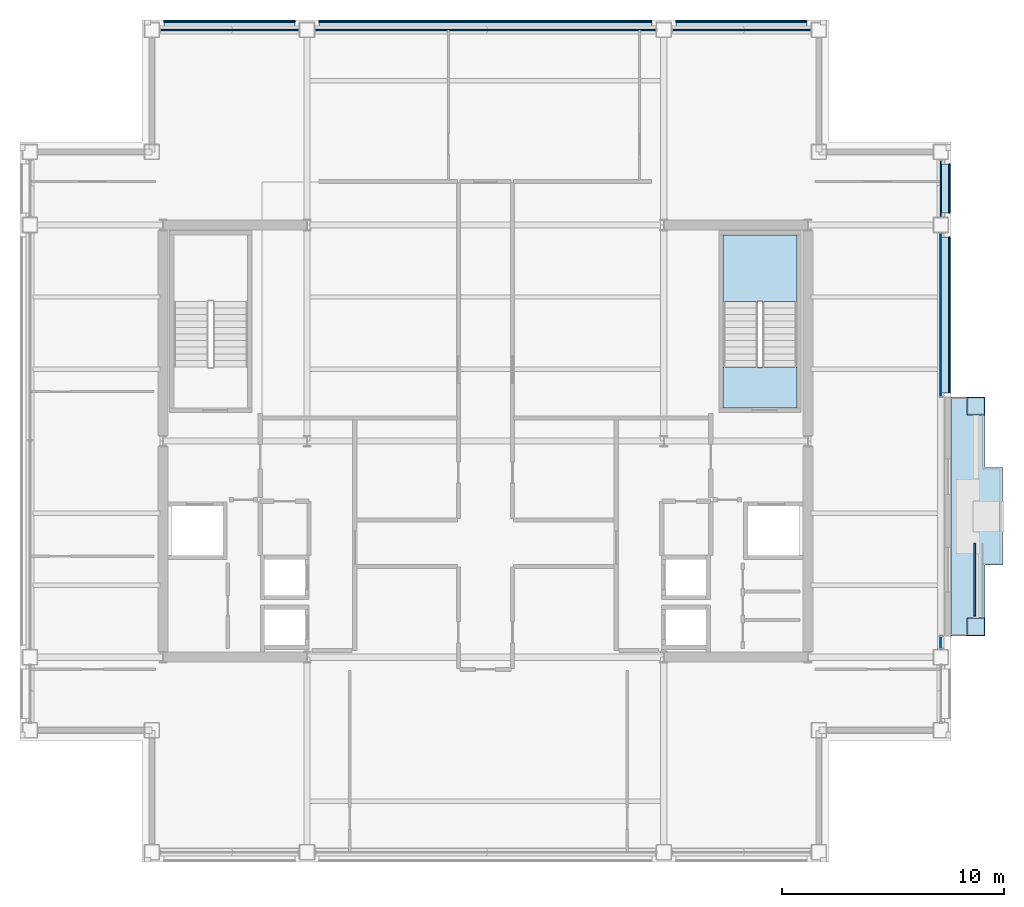
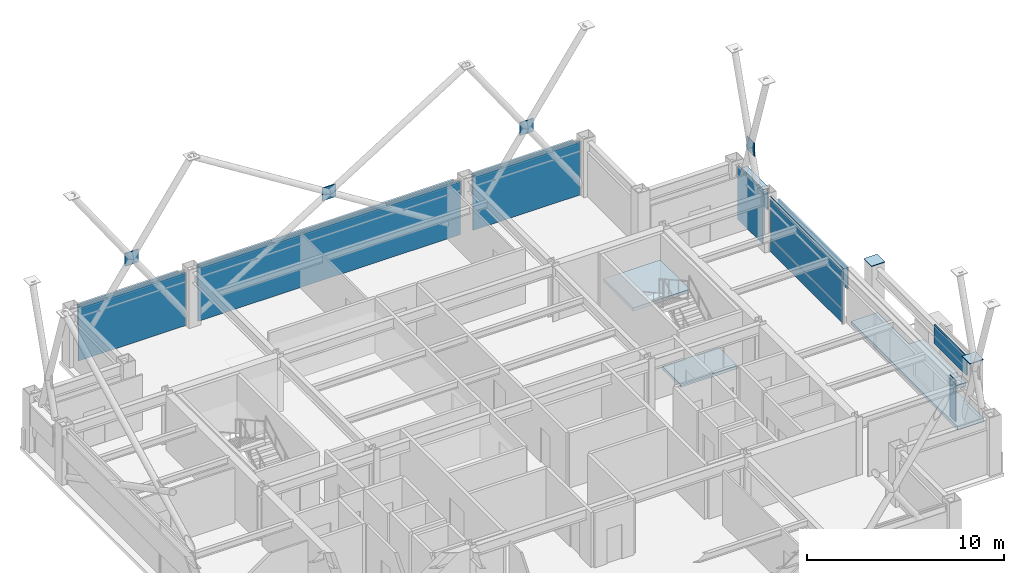
# One storey, part 27 of 33: 24 plates, 3 slabs, 7 elements without a shape of their own.
"""IFC4 building model written with IfcOpenShell, lengths in metres."""

import ifcopenshell
import ifcopenshell.guid

model = None  # the IFC model being written
_history = None  # IfcOwnerHistory: only IFC2X3 demands one
_inside = {}  # id of a spatial element -> (the spatial element, [elements in it])
_under = {}  # id of a project, library or spatial element -> (it, [spatial elements below it])
_declared = {}  # id of a project -> (the project, [libraries it declares])
_typed = {}  # id of a type object -> (the type object, [elements of that type])
_made_of = {}  # id of a material, layer set ... -> (it, [elements and type objects made of it])


def new_model(schema):
    """Start an empty IFC model of exactly this schema.

    Asked for "IFC4X3", IfcOpenShell would pick the latest addendum, in which some entities
    have other attributes; the version numbers below select the first issue.
    IFC2X3 requires an IfcOwnerHistory on every rooted entity: one is made here for all.
    """
    global model, _history
    if schema == "IFC4X3":
        model = ifcopenshell.file(schema_version=(4, 3, 0, 0))
    else:
        model = ifcopenshell.file(schema=schema)
    _inside.clear()
    _under.clear()
    _declared.clear()
    _typed.clear()
    _made_of.clear()
    _history = None
    if model.schema == "IFC2X3":
        org = make("IfcOrganization", Name="unknown")
        user = make(
            "IfcPersonAndOrganization",
            ThePerson=make("IfcPerson", FamilyName="unknown"),
            TheOrganization=org,
        )
        app = make(
            "IfcApplication",
            ApplicationDeveloper=org,
            Version="unknown",
            ApplicationFullName="unknown",
            ApplicationIdentifier="unknown",
        )
        _history = make(
            "IfcOwnerHistory",
            OwningUser=user,
            OwningApplication=app,
            ChangeAction="ADDED",
            CreationDate=0,
        )
    return model


def make(cls, **values):
    """One entity of the class cls with the attributes given. An attribute that is None is left unset."""
    return model.create_entity(
        cls, **{name: value for name, value in values.items() if value is not None}
    )


def rooted(cls, **values):
    """An entity with a GlobalId (a new one), such as an element, a storey or a relation."""
    return make(cls, GlobalId=ifcopenshell.guid.new(), OwnerHistory=_history, **values)


def si_unit(unit_type, name, prefix=None):
    """IfcSIUnit, for example si_unit("LENGTHUNIT", "METRE", prefix="MILLI")."""
    return make("IfcSIUnit", UnitType=unit_type, Prefix=prefix, Name=name)


def assignment(units):
    """IfcUnitAssignment: the units of a project."""
    return None if units is None else make("IfcUnitAssignment", Units=units)


def point(xyz):
    """IfcCartesianPoint."""
    return None if xyz is None else make("IfcCartesianPoint", Coordinates=xyz)


def direction(xyz):
    """IfcDirection."""
    return None if xyz is None else make("IfcDirection", DirectionRatios=xyz)


def frame(location, z_axis=None, x_axis=None):
    """IfcAxis2Placement3D, a coordinate frame: its origin and axes. An axis left out is left unset."""
    return make(
        "IfcAxis2Placement3D",
        Location=point(location),
        Axis=direction(z_axis),
        RefDirection=direction(x_axis),
    )


def frame_2d(location, x_axis=None):
    """IfcAxis2Placement2D, a coordinate frame in the plane: its origin and x axis."""
    return make(
        "IfcAxis2Placement2D", Location=point(location), RefDirection=direction(x_axis)
    )


def origin():
    """The frame at (0, 0, 0) with its axes left unset."""
    return frame((0.0, 0.0, 0.0))


def origin_2d():
    """The frame at (0, 0) in the plane with its x axis left unset."""
    return frame_2d((0.0, 0.0))


def place(relative_to, where):
    """IfcLocalPlacement: puts the frame where relative to a parent placement (None: the world)."""
    return make(
        "IfcLocalPlacement", PlacementRelTo=relative_to, RelativePlacement=where
    )


def context(
    kind, dimensions, precision=None, world=None, true_north=None, identifier=None
):
    """IfcGeometricRepresentationContext, for example the 3D "Model" context."""
    return make(
        "IfcGeometricRepresentationContext",
        ContextIdentifier=identifier,
        ContextType=kind,
        CoordinateSpaceDimension=dimensions,
        Precision=precision,
        WorldCoordinateSystem=world,
        TrueNorth=true_north,
    )


def subcontext(parent, identifier, kind, view, scale=None):
    """IfcGeometricRepresentationSubContext, for example "Body" below "Model"."""
    return make(
        "IfcGeometricRepresentationSubContext",
        ContextIdentifier=identifier,
        ContextType=kind,
        ParentContext=parent,
        TargetScale=scale,
        TargetView=view,
    )


def project(units=None, contexts=None):
    """IfcProject with its units and contexts."""
    return rooted(
        "IfcProject",
        Name="project",
        RepresentationContexts=contexts,
        UnitsInContext=assignment(units),
    )


def spatial(cls, under=None, at=None, **own):
    """A site, building, storey or space (cls), placed at a placement, below another one or the project."""
    s = rooted(cls, ObjectPlacement=at, **own)
    if under is not None:
        _under.setdefault(under.id(), (under, []))[1].append(s)
    return s


def polyline(points):
    """IfcPolyline through the points."""
    return make("IfcPolyline", Points=[point(p) for p in points])


def profile(cls, at=None, kind="AREA", **sizes):
    """A parametric profile (cls). Its sizes go by their IFC names, for example OverallWidth=200.0."""
    return make(cls, ProfileType=kind, Position=at, **sizes)


def rectangle(**sizes):
    """IfcRectangleProfileDef."""
    return profile("IfcRectangleProfileDef", **sizes)


def outline(outer, holes=None, kind="AREA"):
    """IfcArbitraryClosedProfileDef: a profile drawn as a closed curve; with holes, ...WithVoids."""
    if holes is None:
        return make("IfcArbitraryClosedProfileDef", ProfileType=kind, OuterCurve=outer)
    return make(
        "IfcArbitraryProfileDefWithVoids",
        ProfileType=kind,
        OuterCurve=outer,
        InnerCurves=holes,
    )


def extrude(swept, where, along, depth):
    """IfcExtrudedAreaSolid: the profile swept, set in the frame where, extruded along a direction by depth."""
    return make(
        "IfcExtrudedAreaSolid",
        SweptArea=swept,
        Position=where,
        ExtrudedDirection=direction(along),
        Depth=depth,
    )


def shape(context_of_items, identifier, shape_type, items):
    """IfcShapeRepresentation: the items that make up one representation, for example the "Body"."""
    return make(
        "IfcShapeRepresentation",
        ContextOfItems=context_of_items,
        RepresentationIdentifier=identifier,
        RepresentationType=shape_type,
        Items=items,
    )


def material(Name=None, Category=None):
    """IfcMaterial."""
    return make("IfcMaterial", Name=Name, Category=Category)


def layer(
    of_material, thickness, ventilated=None, Name=None, Category=None, Priority=None
):
    """IfcMaterialLayer: one layer of a wall or slab, of a material (None: an air gap)."""
    return make(
        "IfcMaterialLayer",
        Material=of_material,
        LayerThickness=thickness,
        IsVentilated=ventilated,
        Name=Name,
        Category=Category,
        Priority=Priority,
    )


def layer_set(layers, Name=None):
    """IfcMaterialLayerSet."""
    return make("IfcMaterialLayerSet", MaterialLayers=layers, LayerSetName=Name)


def made_of(thing, what):
    """Note that an element or type object is made of a material, layer set ...; save() writes the relation."""
    if what is not None:
        _made_of.setdefault(what.id(), (what, []))[1].append(thing)
    return thing


def type_object(cls, material=None, **own):
    """A type object (cls), such as IfcWallType, which elements share."""
    return made_of(rooted(cls, **own), material)


def element(
    cls,
    number,
    at=None,
    inside=None,
    cuts=None,
    type_object=None,
    material=None,
    context=None,
    identifier="Body",
    shape_type=None,
    held_by="IfcProductDefinitionShape",
    body=None,
    shapes=None,
    **own,
):
    """One element of the class cls, such as IfcWall. Its Tag is "e" and its number.

    at: its placement. inside: the storey or other place that contains it. cuts: it is an
    opening in that element (IfcRelVoidsElement). A single representation is given by context,
    identifier, shape_type and body (its items); several are given by shapes. held_by: the class
    of the entity that holds the representations. save() writes the other relations.
    """
    e = rooted(cls, Tag="e%d" % number, ObjectPlacement=at, **own)
    if body is not None:
        shapes = [shape(context, identifier, shape_type, body)]
    if shapes is not None:
        e.Representation = make(held_by, Representations=shapes)
    if inside is not None:
        _inside.setdefault(inside.id(), (inside, []))[1].append(e)
    if cuts is not None:
        rooted(
            "IfcRelVoidsElement", RelatingBuildingElement=cuts, RelatedOpeningElement=e
        )
    if type_object is not None:
        _typed.setdefault(type_object.id(), (type_object, []))[1].append(e)
    return made_of(e, material)


def aggregate(whole, parts):
    """IfcRelAggregates: a whole, such as a stair, and the parts it consists of."""
    return rooted("IfcRelAggregates", RelatingObject=whole, RelatedObjects=parts)


def save(model, path):
    """Write the relations noted so far, then the file.

    IfcRelAggregates (storeys below a building ...), IfcRelContainedInSpatialStructure (elements
    in a storey), IfcRelDefinesByType, IfcRelAssociatesMaterial and IfcRelDeclares: one each for
    every whole, place, type object, material and project.
    """
    for whole, parts in _under.values():
        aggregate(whole, parts)
    for where, things in _inside.values():
        rooted(
            "IfcRelContainedInSpatialStructure",
            RelatedElements=things,
            RelatingStructure=where,
        )
    for kind, things in _typed.values():
        rooted("IfcRelDefinesByType", RelatedObjects=things, RelatingType=kind)
    for what, things in _made_of.values():
        rooted("IfcRelAssociatesMaterial", RelatedObjects=things, RelatingMaterial=what)
    for by, libraries in _declared.values():
        rooted("IfcRelDeclares", RelatingContext=by, RelatedDefinitions=libraries)
    model.write(path)


model = new_model("IFC4")

# Units and contexts
model_context = context("Model", 3, precision=1e-05, world=origin(), true_north=direction((0.0, 1.0)))
body_context = subcontext(model_context, "Body", "Model", "MODEL_VIEW")
ifc_project = project(units=[si_unit("LENGTHUNIT", "METRE"), si_unit("AREAUNIT", "SQUARE_METRE"), si_unit("VOLUMEUNIT", "CUBIC_METRE"), si_unit("PLANEANGLEUNIT", "RADIAN"), si_unit("MASSUNIT", "GRAM", prefix="KILO")], contexts=[model_context])

# Site, building, storey
site_placement = place(None, origin())
site = spatial("IfcSite", under=ifc_project, at=site_placement, CompositionType="ELEMENT")
building_placement = place(site_placement, origin())
building = spatial("IfcBuilding", under=site, at=building_placement, Name="Brelmoor Portico Tower", CompositionType="ELEMENT")
storey_placement = place(building_placement, frame((0.0, 0.0, 183.89990234375)))
storey = spatial("IfcBuildingStorey", under=building, at=storey_placement, Name="L48", CompositionType="ELEMENT", Elevation=183.89990234375)

# Plates
ifc_material_1 = material(Name="Steel Q355B", Category="steel")
ifc_layer_1 = layer(ifc_material_1, 0.044921875)
ifc_layer_set_1 = layer_set([ifc_layer_1], Name="Steel Q355B")
plate_type_1 = type_object("IfcPlateType", Name="PT-CAP-650", PredefinedType="SHEET", material=ifc_layer_set_1)
for number, where, z_axis, x_axis, name in (
    (1, (22.1298828125, -8.3798828125, 3.60009765625), (0.0, 0.0, 1.0), (0.0, 1.0, 0.0), "L48 Proud Picture-Frame Pier PFJ-E1 Welded Head Cap Plate"),
    (2, (22.1298828125, 1.580078125, 3.60009765625), (0.0, 0.0, 1.0), (0.0, 1.0, 0.0), "L48 Proud Picture-Frame Pier PFJ-E2 Welded Head Cap Plate"),
):
    element("IfcPlate", number, at=place(storey_placement, frame(where, z_axis=z_axis, x_axis=x_axis)), inside=storey, type_object=plate_type_1, Name=name, PredefinedType="SHEET", context=body_context, shape_type="SweptSolid", body=[
        extrude(rectangle(XDim=0.7900390625, YDim=0.7900390625, at=origin_2d()), origin(), (0.0, 0.0, 1.0), 0.0400390625),
    ])

# Curtain wall, plate
ifc_material_2 = material(Name="Anodised Aluminium Alloy 6063-T6", Category="aluminium")
ifc_layer_2 = layer(ifc_material_2, 0.179931640625)
ifc_layer_set_2 = layer_set([ifc_layer_2], Name="Anodised Aluminium Alloy 6063-T6")
curtain_wall_type_1 = type_object("IfcCurtainWallType", Name="CW-TOWER-Z3", PredefinedType="NOTDEFINED", material=ifc_layer_set_2)
curtain_wall_1_placement = place(storey_placement, origin())
curtain_wall_1 = element("IfcCurtainWall", 3, at=curtain_wall_1_placement, inside=storey, type_object=curtain_wall_type_1, Name="L48 Curtain Wall CW-L48-4L-2", PredefinedType="NOTDEFINED")
ifc_material_3 = material(Name="Double-Silver Low-E Insulated Glazing", Category="glass")
ifc_layer_3 = layer(ifc_material_3, 0.035888671875)
ifc_layer_set_3 = layer_set([ifc_layer_3], Name="Double-Silver Low-E Insulated Glazing")
plate_type_2 = type_object("IfcPlateType", Name="PT-CW-GLASS", PredefinedType="CURTAIN_PANEL", material=ifc_layer_set_3)
plate_1_placement = place(storey_placement, frame((20.550048828125, -9.094970703125, 0.85009765625), z_axis=(0.0, 0.0, 1.0), x_axis=(0.0, 1.0, 0.0)))
plate_1 = element("IfcPlate", 4, at=plate_1_placement, type_object=plate_type_2, Name="CW-L48-4L-2 Vision Glass Panel 00", PredefinedType="CURTAIN_PANEL", context=body_context, shape_type="SweptSolid", body=[
    extrude(rectangle(XDim=0.56005859375, YDim=0.035888671875, at=origin_2d()), origin(), (0.0, 0.0, 1.0), 2.550048828125),
])
aggregate(curtain_wall_1, [plate_1])

curtain_wall_2_placement = place(storey_placement, origin())
curtain_wall_2 = element("IfcCurtainWall", 5, at=curtain_wall_2_placement, inside=storey, type_object=curtain_wall_type_1, Name="L48 Curtain Wall CW-L48-4R-1", PredefinedType="NOTDEFINED")
plate_2_placement = place(storey_placement, frame((20.550048828125, 5.695068359375, 0.85009765625), z_axis=(0.0, 0.0, 1.0), x_axis=(0.0, 1.0, 0.0)))
plate_2 = element("IfcPlate", 6, at=plate_2_placement, type_object=plate_type_2, Name="CW-L48-4R-1 Vision Glass Panel 00", PredefinedType="CURTAIN_PANEL", context=body_context, shape_type="SweptSolid", body=[
    extrude(rectangle(XDim=7.360107421875, YDim=0.035888671875, at=origin_2d()), origin(), (0.0, 0.0, 1.0), 2.550048828125),
])

ifc_layer_4 = layer(ifc_material_2, 0.179931640625)
ifc_layer_set_4 = layer_set([ifc_layer_4], Name="Anodised Aluminium Alloy 6063-T6")
curtain_wall_type_2 = type_object("IfcCurtainWallType", Name="CW-TOWER-Z3-XB", PredefinedType="NOTDEFINED", material=ifc_layer_set_4)
curtain_wall_3_placement = place(storey_placement, origin())
curtain_wall_3 = element("IfcCurtainWall", 7, at=curtain_wall_3_placement, inside=storey, type_object=curtain_wall_type_2, Name="L48 Curtain Wall CW-L48-02-1", PredefinedType="NOTDEFINED")
ifc_material_4 = material(Name="Pale Champagne Anodised Aluminium Panel", Category="aluminium")
ifc_layer_5 = layer(ifc_material_4, 0.050048828125)
ifc_layer_set_5 = layer_set([ifc_layer_5], Name="Pale Champagne Anodised Aluminium Panel")
plate_type_3 = type_object("IfcPlateType", Name="PT-CW-SPANDREL", PredefinedType="SHEET", material=ifc_layer_set_5)
plate_3_placement = place(storey_placement, frame((-11.550048828125, 18.550048828125, 0.0), z_axis=(0.0, 0.0, 1.0), x_axis=(1.0, 0.0, 0.0)))
plate_3 = element("IfcPlate", 8, at=plate_3_placement, type_object=plate_type_3, Name="CW-L48-02-1 Spandrel Panel 00", PredefinedType="SHEET", context=body_context, shape_type="SweptSolid", body=[
    extrude(rectangle(XDim=6.25, YDim=0.050048828125, at=origin_2d()), origin(), (0.0, 0.0, 1.0), 3.33740234375),
])
aggregate(curtain_wall_3, [plate_3])

curtain_wall_4_placement = place(storey_placement, origin())
curtain_wall_4 = element("IfcCurtainWall", 9, at=curtain_wall_4_placement, inside=storey, type_object=curtain_wall_type_2, Name="L48 Curtain Wall CW-L48-02-2", PredefinedType="NOTDEFINED")
plate_4_placement = place(storey_placement, frame((0.0, 18.550048828125, 0.0), z_axis=(0.0, 0.0, 1.0), x_axis=(1.0, 0.0, 0.0)))
plate_4 = element("IfcPlate", 10, at=plate_4_placement, type_object=plate_type_3, Name="CW-L48-02-2 Spandrel Panel 00", PredefinedType="SHEET", context=body_context, shape_type="SweptSolid", body=[
    extrude(rectangle(XDim=15.35009765625, YDim=0.050048828125, at=origin_2d()), origin(), (0.0, 0.0, 1.0), 3.33740234375),
])
aggregate(curtain_wall_4, [plate_4])

curtain_wall_5_placement = place(storey_placement, origin())
curtain_wall_5 = element("IfcCurtainWall", 11, at=curtain_wall_5_placement, inside=storey, type_object=curtain_wall_type_2, Name="L48 Curtain Wall CW-L48-02-3", PredefinedType="NOTDEFINED")
plate_5_placement = place(storey_placement, frame((11.550048828125, 18.550048828125, 0.0), z_axis=(0.0, 0.0, 1.0), x_axis=(1.0, 0.0, 0.0)))
plate_5 = element("IfcPlate", 12, at=plate_5_placement, type_object=plate_type_3, Name="CW-L48-02-3 Spandrel Panel 00", PredefinedType="SHEET", context=body_context, shape_type="SweptSolid", body=[
    extrude(rectangle(XDim=6.25, YDim=0.050048828125, at=origin_2d()), origin(), (0.0, 0.0, 1.0), 3.33740234375),
])
aggregate(curtain_wall_5, [plate_5])

# Plate
plate_6_placement = place(storey_placement, frame((20.550048828125, 5.695068359375, 0.0), z_axis=(0.0, 0.0, 1.0), x_axis=(0.0, 1.0, 0.0)))
plate_6 = element("IfcPlate", 13, at=plate_6_placement, type_object=plate_type_3, Name="CW-L48-4R-1 Spandrel Panel 00", PredefinedType="SHEET", context=body_context, shape_type="SweptSolid", body=[
    extrude(rectangle(XDim=7.360107421875, YDim=0.050048828125, at=origin_2d()), origin(), (0.0, 0.0, 1.0), 0.85009765625),
])

aggregate(curtain_wall_2, [plate_6, plate_2])

# Curtain wall, plate
curtain_wall_6_placement = place(storey_placement, origin())
curtain_wall_6 = element("IfcCurtainWall", 14, at=curtain_wall_6_placement, inside=storey, type_object=curtain_wall_type_2, Name="L48 Curtain Wall CW-L48-4R-2", PredefinedType="NOTDEFINED")
plate_7_placement = place(storey_placement, frame((20.550048828125, 11.39990234375, 0.0), z_axis=(0.0, 0.0, 1.0), x_axis=(0.0, 1.0, 0.0)))
plate_7 = element("IfcPlate", 15, at=plate_7_placement, type_object=plate_type_3, Name="CW-L48-4R-2 Spandrel Panel 00", PredefinedType="SHEET", context=body_context, shape_type="SweptSolid", body=[
    extrude(rectangle(XDim=2.550048828125, YDim=0.050048828125, at=origin_2d()), origin(), (0.0, 0.0, 1.0), 3.33740234375),
])
aggregate(curtain_wall_6, [plate_7])

# Plates
ifc_layer_6 = layer(ifc_material_1, 0.050048828125)
ifc_layer_set_6 = layer_set([ifc_layer_6], Name="Steel Q355B")
plate_type_4 = type_object("IfcPlateType", Name="PT-GUSSET-800", PredefinedType="USERDEFINED", material=ifc_layer_set_6)
for number, where, z_axis, x_axis, name in (
    (16, (-11.550048828125, 18.550048828125, 4.89990234375), (0.0, 0.0, 1.0), (1.0, 0.0, 0.0), "L48 Perimeter Mega-Brace Gusset 108"),
    (17, (0.0, 18.550048828125, 4.89990234375), (0.0, 0.0, 1.0), (1.0, 0.0, 0.0), "L48 Perimeter Mega-Brace Gusset 109"),
    (18, (11.550048828125, 18.550048828125, 4.89990234375), (0.0, 0.0, 1.0), (1.0, 0.0, 0.0), "L48 Perimeter Mega-Brace Gusset 110"),
):
    element("IfcPlate", number, at=place(storey_placement, frame(where, z_axis=z_axis, x_axis=x_axis)), inside=storey, type_object=plate_type_4, Name=name, ObjectType="GUSSET PLATE", PredefinedType="USERDEFINED", context=body_context, shape_type="SweptSolid", body=[
        extrude(rectangle(XDim=0.800048828125, YDim=0.050048828125, at=origin_2d()), origin(), (0.0, 0.0, 1.0), 0.800048828125),
    ])
plate_8_placement = place(storey_placement, frame((20.550048828125, 11.39990234375, 4.89990234375), z_axis=(0.0, 0.0, 1.0), x_axis=(1.0, 0.0, 0.0)))
element("IfcPlate", 19, at=plate_8_placement, inside=storey, type_object=plate_type_4, Name="L48 Perimeter Mega-Brace Gusset 115", ObjectType="GUSSET PLATE", PredefinedType="USERDEFINED", context=body_context, shape_type="SweptSolid", body=[
    extrude(rectangle(XDim=0.050048828125, YDim=0.800048828125, at=origin_2d()), origin(), (0.0, 0.0, 1.0), 0.800048828125),
])
ifc_material_5 = material(Name="Powder-Coated Aluminium Shuttered Jalousie Louvre", Category="aluminium")
ifc_layer_7 = layer(ifc_material_5, 0.06005859375)
ifc_layer_set_7 = layer_set([ifc_layer_7], Name="Powder-Coated Aluminium Shuttered Jalousie Louvre")
plate_type_5 = type_object("IfcPlateType", Name="PT-JALOUSIE-SHUTTER", PredefinedType="SHEET", material=ifc_layer_set_7)
plate_9_placement = place(storey_placement, frame((-11.550048828125, 18.929931640625, 1.8740234375), z_axis=(0.0, 0.0, 1.0), x_axis=(1.0, 0.0, 0.0)))
element("IfcPlate", 20, at=plate_9_placement, inside=storey, type_object=plate_type_5, Name="CW-L48-02-1 Perforated Jalousie Solar Screen", PredefinedType="SHEET", context=body_context, shape_type="SweptSolid", body=[
    extrude(rectangle(XDim=5.919921875, YDim=0.06494140625, at=origin_2d()), origin(), (0.0, 0.0, 1.0), 1.325927734375),
])
plate_10_placement = place(storey_placement, frame((0.0, 18.929931640625, 1.8740234375), z_axis=(0.0, 0.0, 1.0), x_axis=(1.0, 0.0, 0.0)))
element("IfcPlate", 21, at=plate_10_placement, inside=storey, type_object=plate_type_5, Name="CW-L48-02-2 Perforated Jalousie Solar Screen", PredefinedType="SHEET", context=body_context, shape_type="SweptSolid", body=[
    extrude(rectangle(XDim=15.02001953125, YDim=0.06494140625, at=origin_2d()), origin(), (0.0, 0.0, 1.0), 1.325927734375),
])
plate_11_placement = place(storey_placement, frame((11.550048828125, 18.929931640625, 1.8740234375), z_axis=(0.0, 0.0, 1.0), x_axis=(1.0, 0.0, 0.0)))
element("IfcPlate", 22, at=plate_11_placement, inside=storey, type_object=plate_type_5, Name="CW-L48-02-3 Perforated Jalousie Solar Screen", PredefinedType="SHEET", context=body_context, shape_type="SweptSolid", body=[
    extrude(rectangle(XDim=5.919921875, YDim=0.06494140625, at=origin_2d()), origin(), (0.0, 0.0, 1.0), 1.325927734375),
])
plate_12_placement = place(storey_placement, frame((20.929931640625, 5.695068359375, 1.8740234375), z_axis=(0.0, 0.0, 1.0), x_axis=(0.0, 1.0, 0.0)))
element("IfcPlate", 23, at=plate_12_placement, inside=storey, type_object=plate_type_5, Name="CW-L48-4R-1 Perforated Jalousie Solar Screen", PredefinedType="SHEET", context=body_context, shape_type="SweptSolid", body=[
    extrude(rectangle(XDim=7.030029296875, YDim=0.06494140625, at=origin_2d()), origin(), (0.0, 0.0, 1.0), 1.325927734375),
])
plate_13_placement = place(storey_placement, frame((20.929931640625, 11.39990234375, 1.8740234375), z_axis=(0.0, 0.0, 1.0), x_axis=(0.0, 1.0, 0.0)))
element("IfcPlate", 24, at=plate_13_placement, inside=storey, type_object=plate_type_5, Name="CW-L48-4R-2 Perforated Jalousie Solar Screen", PredefinedType="SHEET", context=body_context, shape_type="SweptSolid", body=[
    extrude(rectangle(XDim=2.219970703125, YDim=0.06494140625, at=origin_2d()), origin(), (0.0, 0.0, 1.0), 1.325927734375),
])
plate_14_placement = place(storey_placement, frame((22.080078125, -6.25, 2.275146484375), z_axis=(0.0, 0.0, 1.0), x_axis=(0.0, 1.0, 0.0)))
element("IfcPlate", 25, at=plate_14_placement, inside=storey, type_object=plate_type_5, Name="L48 Shuttered Veranda Screen E", PredefinedType="SHEET", context=body_context, shape_type="SweptSolid", body=[
    extrude(rectangle(XDim=3.300048828125, YDim=0.080078125, at=origin_2d()), origin(), (0.0, 0.0, 1.0), 1.14990234375),
])
ifc_material_6 = material(Name="Pale Champagne Perforated Aluminium Solar Screen", Category="aluminium")
ifc_layer_8 = layer(ifc_material_6, 0.054931640625)
ifc_layer_set_8 = layer_set([ifc_layer_8], Name="Pale Champagne Perforated Aluminium Solar Screen")
plate_type_6 = type_object("IfcPlateType", Name="PT-SOLAR-LOUVRE", PredefinedType="SHEET", material=ifc_layer_set_8)
plate_15_placement = place(storey_placement, frame((-11.550048828125, 18.760009765625, 3.09033203125), z_axis=(0.0, 0.0, 1.0), x_axis=(1.0, 0.0, 0.0)))
element("IfcPlate", 26, at=plate_15_placement, inside=storey, type_object=plate_type_6, Name="CW-L48-02-1 Caribbean Brise-Soleil Solar Screen", PredefinedType="SHEET", context=body_context, shape_type="SweptSolid", body=[
    extrude(rectangle(XDim=5.919921875, YDim=0.4599609375, at=origin_2d()), origin(), (0.0, 0.0, 1.0), 0.139892578125),
])
plate_16_placement = place(storey_placement, frame((0.0, 18.760009765625, 3.09033203125), z_axis=(0.0, 0.0, 1.0), x_axis=(1.0, 0.0, 0.0)))
element("IfcPlate", 27, at=plate_16_placement, inside=storey, type_object=plate_type_6, Name="CW-L48-02-2 Caribbean Brise-Soleil Solar Screen", PredefinedType="SHEET", context=body_context, shape_type="SweptSolid", body=[
    extrude(rectangle(XDim=15.02001953125, YDim=0.4599609375, at=origin_2d()), origin(), (0.0, 0.0, 1.0), 0.139892578125),
])
plate_17_placement = place(storey_placement, frame((11.550048828125, 18.760009765625, 3.09033203125), z_axis=(0.0, 0.0, 1.0), x_axis=(1.0, 0.0, 0.0)))
element("IfcPlate", 28, at=plate_17_placement, inside=storey, type_object=plate_type_6, Name="CW-L48-02-3 Caribbean Brise-Soleil Solar Screen", PredefinedType="SHEET", context=body_context, shape_type="SweptSolid", body=[
    extrude(rectangle(XDim=5.919921875, YDim=0.4599609375, at=origin_2d()), origin(), (0.0, 0.0, 1.0), 0.139892578125),
])
plate_18_placement = place(storey_placement, frame((20.760009765625, 5.695068359375, 3.09033203125), z_axis=(0.0, 0.0, 1.0), x_axis=(0.0, 1.0, 0.0)))
element("IfcPlate", 29, at=plate_18_placement, inside=storey, type_object=plate_type_6, Name="CW-L48-4R-1 Caribbean Brise-Soleil Solar Screen", PredefinedType="SHEET", context=body_context, shape_type="SweptSolid", body=[
    extrude(rectangle(XDim=7.030029296875, YDim=0.4599609375, at=origin_2d()), origin(), (0.0, 0.0, 1.0), 0.139892578125),
])
plate_19_placement = place(storey_placement, frame((20.760009765625, 11.39990234375, 3.09033203125), z_axis=(0.0, 0.0, 1.0), x_axis=(0.0, 1.0, 0.0)))
element("IfcPlate", 30, at=plate_19_placement, inside=storey, type_object=plate_type_6, Name="CW-L48-4R-2 Caribbean Brise-Soleil Solar Screen", PredefinedType="SHEET", context=body_context, shape_type="SweptSolid", body=[
    extrude(rectangle(XDim=2.219970703125, YDim=0.4599609375, at=origin_2d()), origin(), (0.0, 0.0, 1.0), 0.139892578125),
])

# Slab
ifc_material_7 = material(Name="Concrete C40", Category="concrete")
ifc_layer_9 = layer(ifc_material_7, 0.199951171875)
ifc_layer_set_9 = layer_set([ifc_layer_9], Name="Concrete C40")
slab_type_1 = type_object("IfcSlabType", Name="SL-BALCONY-200", PredefinedType="FLOOR", material=ifc_layer_set_9)
slab_1_placement = place(storey_placement, frame((0.0, 0.0, -0.199951171875)))
element("IfcSlab", 31, at=slab_1_placement, inside=storey, type_object=slab_type_1, Name="L48 Loggia Tree Balcony Slab E", PredefinedType="FLOOR", context=body_context, shape_type="SweptSolid", body=[
    extrude(outline(polyline([(21.0, -8.800048828125), (22.550048828125, -8.800048828125), (22.550048828125, -5.60009765625), (23.35009765625, -5.60009765625), (23.35009765625, -1.199951171875), (22.550048828125, -1.199951171875), (22.550048828125, 2.0), (21.0, 2.0), (21.0, -8.800048828125)])), origin(), (0.0, 0.0, 1.0), 0.199951171875),
])

# Stair, slab
stair_type = type_object("IfcStairType", Name="ST-CORE-E", PredefinedType="HALF_TURN_STAIR", material=ifc_material_7)
stair_placement = place(storey_placement, origin())
stair = element("IfcStair", 32, at=stair_placement, inside=storey, type_object=stair_type, Name="L48 Protected Core Exit Stair ST-E", PredefinedType="HALF_TURN_STAIR")
ifc_layer_10 = layer(ifc_material_7, 0.179931640625)
ifc_layer_set_10 = layer_set([ifc_layer_10], Name="Concrete C40")
slab_type_2 = type_object("IfcSlabType", Name="SL-LANDING-180", PredefinedType="LANDING", material=ifc_layer_set_10)
slab_2_placement = place(storey_placement, frame((0.0, 0.0, 1.60009765625)))
slab_2 = element("IfcSlab", 33, at=slab_2_placement, type_object=slab_type_2, Name="ST-E landing 1", PredefinedType="LANDING", context=body_context, shape_type="SweptSolid", body=[
    extrude(outline(polyline([(14.050048828125, 6.300048828125), (14.050048828125, 9.300048828125), (10.72998046875, 9.300048828125), (10.72998046875, 6.300048828125), (14.050048828125, 6.300048828125)])), origin(), (0.0, 0.0, 1.0), 0.199951171875),
])
aggregate(stair, [slab_2])

# Slab
ifc_layer_11 = layer(ifc_material_7, 0.199951171875)
ifc_layer_set_11 = layer_set([ifc_layer_11], Name="Concrete C40")
slab_type_3 = type_object("IfcSlabType", Name="SL-STAIR-FL200", PredefinedType="LANDING", material=ifc_layer_set_11)
slab_3_placement = place(storey_placement, frame((0.0, 0.0, -0.199951171875)))
element("IfcSlab", 34, at=slab_3_placement, inside=storey, type_object=slab_type_3, Name="L48 ST-E Structural Floor Landing Slab", PredefinedType="LANDING", context=body_context, shape_type="SweptSolid", body=[
    extrude(outline(polyline([(14.050048828125, 1.5), (14.050048828125, 3.35009765625), (10.72998046875, 3.35009765625), (10.72998046875, 1.5), (14.050048828125, 1.5)])), origin(), (0.0, 0.0, 1.0), 0.199951171875),
])

save(model, "model.ifc")
